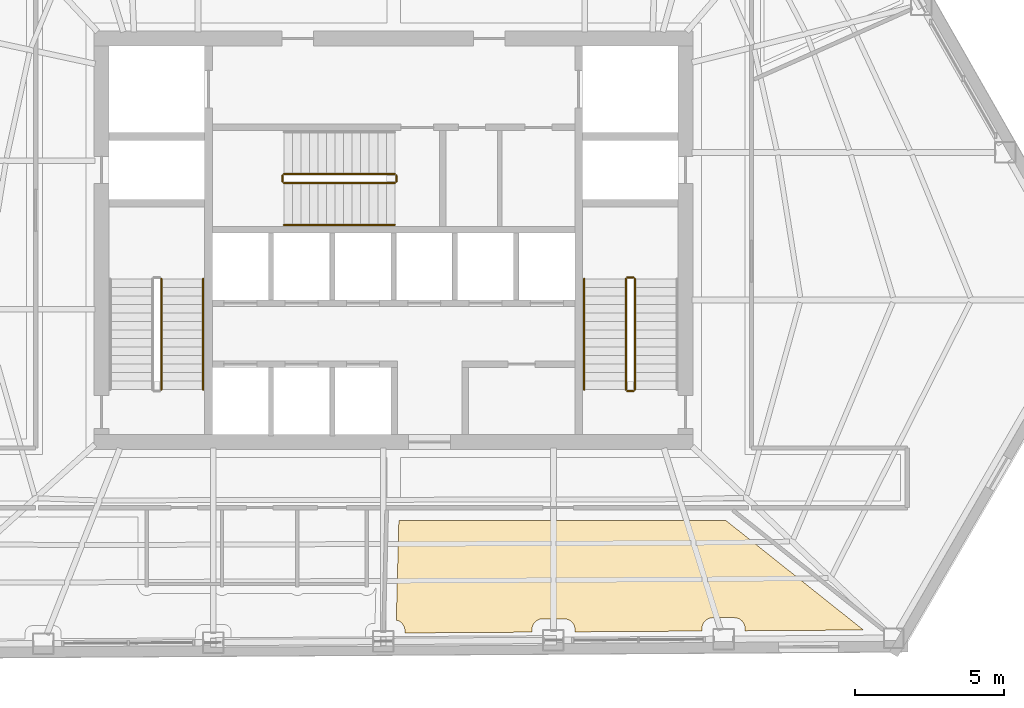
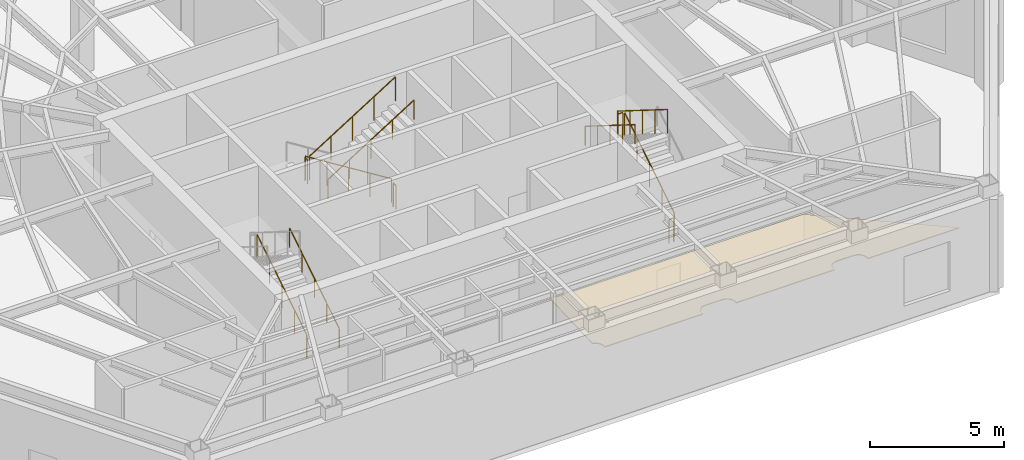
# One storey, part 13 of 14: 12 railings, 1 covering.
"""IFC4 building model written with IfcOpenShell, lengths in metres."""

from ifc_helpers import new_model, si_unit, direction, frame, origin, origin_2d, place, context, subcontext, project, spatial, polyline, circle, outline, extrude, material, layer, layer_set, type_object, element, save


model = new_model("IFC4")

# Units and contexts
model_context = context("Model", 3, precision=1e-05, world=origin(), true_north=direction((0.0, 1.0)))
body_context = subcontext(model_context, "Body", "Model", "MODEL_VIEW")
ifc_project = project(units=[si_unit("LENGTHUNIT", "METRE"), si_unit("AREAUNIT", "SQUARE_METRE"), si_unit("VOLUMEUNIT", "CUBIC_METRE"), si_unit("PLANEANGLEUNIT", "RADIAN"), si_unit("MASSUNIT", "GRAM", prefix="KILO")], contexts=[model_context])

# Site, building, storey
site_placement = place(None, origin())
site = spatial("IfcSite", under=ifc_project, at=site_placement, CompositionType="ELEMENT")
building_placement = place(site_placement, origin())
building = spatial("IfcBuilding", under=site, at=building_placement, Name="Kavelnor Concourse Tower", CompositionType="ELEMENT")
storey_placement = place(building_placement, frame((0.0, 0.0, 80.5)))
storey = spatial("IfcBuildingStorey", under=building, at=storey_placement, Name="L20", CompositionType="ELEMENT", Elevation=80.5)

# Covering
ifc_material_1 = material(Name="Mineral fibre acoustic ceiling tile")
ifc_layer = layer(ifc_material_1, 0.0400390625, Name="Mineral fibre acoustic ceiling tile")
ifc_layer_set = layer_set([ifc_layer], Name="Mineral fibre acoustic ceiling tile")
covering_type = type_object("IfcCoveringType", Name="COV-CEILING-ACOUSTIC", PredefinedType="CEILING", material=ifc_layer_set)
covering_placement = place(storey_placement, frame((0.0, 0.0, 2.75)))
element("IfcCovering", 1, at=covering_placement, inside=storey, type_object=covering_type, Name="L20 Suspended Acoustic Ceiling", PredefinedType="CEILING", context=body_context, shape_type="SweptSolid", body=[
    extrude(outline(polyline([(38.175537109375, 6.7275390625), (49.107421875, 6.7275390625), (53.7138671875, 3.060302734375), (49.7548828125, 3.034912109375), (49.7548828125, 3.11865234375), (49.753662109375, 3.145751953125), (49.748291015625, 3.1806640625), (49.73974609375, 3.215087890625), (49.727783203125, 3.248291015625), (49.712890625, 3.2802734375), (49.694580078125, 3.310546875), (49.673583984375, 3.339111328125), (49.649658203125, 3.365234375), (49.62353515625, 3.388916015625), (49.59521484375, 3.41015625), (49.564697265625, 3.42822265625), (49.53271484375, 3.443359375), (49.49951171875, 3.455322265625), (49.465087890625, 3.4638671875), (49.43017578125, 3.468994140625), (49.4033203125, 3.470458984375), (48.66650390625, 3.470458984375), (48.6396484375, 3.468994140625), (48.6044921875, 3.4638671875), (48.5703125, 3.455322265625), (48.537109375, 3.443359375), (48.5048828125, 3.42822265625), (48.474609375, 3.41015625), (48.4462890625, 3.388916015625), (48.420166015625, 3.365234375), (48.396240234375, 3.339111328125), (48.375244140625, 3.310546875), (48.35693359375, 3.2802734375), (48.341796875, 3.248291015625), (48.330078125, 3.215087890625), (48.3212890625, 3.1806640625), (48.316162109375, 3.145751953125), (48.31494140625, 3.11865234375), (48.31494140625, 3.02587890625), (44.06591796875, 2.99853515625), (44.06591796875, 3.082275390625), (44.064697265625, 3.109130859375), (44.059326171875, 3.144287109375), (44.05078125, 3.178466796875), (44.038818359375, 3.2119140625), (44.023681640625, 3.243896484375), (44.005615234375, 3.274169921875), (43.984619140625, 3.302490234375), (43.960693359375, 3.32861328125), (43.9345703125, 3.3525390625), (43.906005859375, 3.37353515625), (43.875732421875, 3.391845703125), (43.84375, 3.406982421875), (43.810546875, 3.418701171875), (43.776123046875, 3.427490234375), (43.7412109375, 3.4326171875), (43.714111328125, 3.433837890625), (42.9775390625, 3.433837890625), (42.95068359375, 3.4326171875), (42.91552734375, 3.427490234375), (42.88134765625, 3.418701171875), (42.847900390625, 3.406982421875), (42.81591796875, 3.391845703125), (42.78564453125, 3.37353515625), (42.75732421875, 3.3525390625), (42.731201171875, 3.32861328125), (42.707275390625, 3.302490234375), (42.686279296875, 3.274169921875), (42.66796875, 3.243896484375), (42.65283203125, 3.2119140625), (42.64111328125, 3.178466796875), (42.63232421875, 3.144287109375), (42.627197265625, 3.109130859375), (42.6259765625, 3.082275390625), (42.6259765625, 2.9892578125), (38.376953125, 2.9619140625), (38.376953125, 3.045654296875), (38.375732421875, 3.07275390625), (38.37060546875, 3.107666015625), (38.36181640625, 3.14208984375), (38.35009765625, 3.17529296875), (38.3349609375, 3.207275390625), (38.316650390625, 3.237548828125), (38.295654296875, 3.26611328125), (38.271728515625, 3.292236328125), (38.24560546875, 3.31591796875), (38.21728515625, 3.337158203125), (38.18701171875, 3.355224609375), (38.15478515625, 3.370361328125), (38.12158203125, 3.38232421875), (38.09033203125, 3.39013671875), (38.175537109375, 6.7275390625)])), origin(), (0.0, 0.0, 1.0), 0.0400390625),
])

# Railings
ifc_material_2 = material(Name="Steel Grade 350", Category="steel")
railing_type_1 = type_object("IfcRailingType", Name="RLG-GUARD-1100", PredefinedType="GUARDRAIL", material=ifc_material_2)
for number, where, name in (
    (2, (30.22998046875, 11.10009765625, 0.178466796875), "L20 ST1 stair guard 1"),
    (3, (46.070068359375, 11.10009765625, 0.178466796875), "L20 ST2 stair guard 1"),
):
    element("IfcRailing", number, at=place(storey_placement, frame(where)), inside=storey, type_object=railing_type_1, Name=name, PredefinedType="GUARDRAIL", context=body_context, shape_type="SweptSolid", body=[
        extrude(circle(Radius=0.02392578125, at=origin_2d()), frame((0.0, 0.0, 1.076171875), z_axis=(0.0, 0.847379717373, 0.530987395881), x_axis=(-1.0, 0.0, 0.0)), (0.0, 0.0, 1.0), 4.3720703125),
        extrude(circle(Radius=0.02099609375, at=origin_2d()), origin(), (0.0, 0.0, 1.0), 1.052001953125),
        extrude(circle(Radius=0.02099609375, at=origin_2d()), frame((0.0, 0.92626953125, 0.580322265625)), (0.0, 0.0, 1.0), 1.052001953125),
        extrude(circle(Radius=0.02099609375, at=origin_2d()), frame((0.0, 1.8525390625, 1.16064453125)), (0.0, 0.0, 1.0), 1.052001953125),
        extrude(circle(Radius=0.02099609375, at=origin_2d()), frame((0.0, 2.778564453125, 1.7412109375)), (0.0, 0.0, 1.0), 1.052001953125),
        extrude(circle(Radius=0.02099609375, at=origin_2d()), frame((0.0, 3.704833984375, 2.321533203125)), (0.0, 0.0, 1.0), 1.052001953125),
    ])
railing_1_placement = place(storey_placement, frame((46.02001953125, 14.85498046875, 2.5)))
element("IfcRailing", 4, at=railing_1_placement, inside=storey, type_object=railing_type_1, Name="L20 ST2 stair guard 2", PredefinedType="GUARDRAIL", context=body_context, shape_type="SweptSolid", body=[
    extrude(circle(Radius=0.02392578125, at=origin_2d()), frame((0.0, 0.0, 1.076171875), z_axis=(-1.0, 0.0, 0.0), x_axis=(0.0, -1.0, 0.0)), (0.0, 0.0, 1.0), 0.199951171875),
    extrude(circle(Radius=0.02099609375, at=origin_2d()), origin(), (0.0, 0.0, 1.0), 1.052001953125),
    extrude(circle(Radius=0.02099609375, at=origin_2d()), frame((-0.199951171875, 0.0, 0.0)), (0.0, 0.0, 1.0), 1.052001953125),
])
railing_2_placement = place(storey_placement, frame((45.77001953125, 14.804931640625, 2.678466796875)))
element("IfcRailing", 5, at=railing_2_placement, inside=storey, type_object=railing_type_1, Name="L20 ST2 stair guard 3", PredefinedType="GUARDRAIL", context=body_context, shape_type="SweptSolid", body=[
    extrude(circle(Radius=0.02392578125, at=origin_2d()), frame((0.0, 0.0, 1.076171875), z_axis=(0.0, -0.847379717373, 0.530987395881), x_axis=(1.0, 0.0, 0.0)), (0.0, 0.0, 1.0), 4.3720703125),
    extrude(circle(Radius=0.02099609375, at=origin_2d()), origin(), (0.0, 0.0, 1.0), 1.052001953125),
    extrude(circle(Radius=0.02099609375, at=origin_2d()), frame((0.0, -0.92626953125, 0.580322265625)), (0.0, 0.0, 1.0), 1.052001953125),
    extrude(circle(Radius=0.02099609375, at=origin_2d()), frame((0.0, -1.8525390625, 1.16064453125)), (0.0, 0.0, 1.0), 1.052001953125),
    extrude(circle(Radius=0.02099609375, at=origin_2d()), frame((0.0, -2.778564453125, 1.7412109375)), (0.0, 0.0, 1.0), 1.052001953125),
    extrude(circle(Radius=0.02099609375, at=origin_2d()), frame((0.0, -3.704833984375, 2.321533203125)), (0.0, 0.0, 1.0), 1.052001953125),
])
railing_3_placement = place(storey_placement, frame((46.02001953125, 11.050048828125, 0.0)))
element("IfcRailing", 6, at=railing_3_placement, inside=storey, type_object=railing_type_1, Name="L20 ST2 stair guard 4", PredefinedType="GUARDRAIL", context=body_context, shape_type="SweptSolid", body=[
    extrude(circle(Radius=0.02392578125, at=origin_2d()), frame((0.0, 0.0, 1.076171875), z_axis=(-1.0, 0.0, 0.0), x_axis=(0.0, -1.0, 0.0)), (0.0, 0.0, 1.0), 0.199951171875),
    extrude(circle(Radius=0.02099609375, at=origin_2d()), origin(), (0.0, 0.0, 1.0), 1.052001953125),
    extrude(circle(Radius=0.02099609375, at=origin_2d()), frame((-0.199951171875, 0.0, 0.0)), (0.0, 0.0, 1.0), 1.052001953125),
])
railing_4_placement = place(storey_placement, frame((38.0400390625, 18.31005859375, 0.178466796875)))
element("IfcRailing", 7, at=railing_4_placement, inside=storey, type_object=railing_type_1, Name="L20 ST3 stair guard 1", PredefinedType="GUARDRAIL", context=body_context, shape_type="SweptSolid", body=[
    extrude(circle(Radius=0.02392578125, at=origin_2d()), frame((0.0, 0.0, 1.076171875), z_axis=(-0.847395460354, 0.0, 0.530962271514), x_axis=(0.0, -1.0, 0.0)), (0.0, 0.0, 1.0), 4.372314453125),
    extrude(circle(Radius=0.02099609375, at=origin_2d()), origin(), (0.0, 0.0, 1.0), 1.052001953125),
    extrude(circle(Radius=0.02099609375, at=origin_2d()), frame((-0.92626953125, 0.0, 0.580322265625)), (0.0, 0.0, 1.0), 1.052001953125),
    extrude(circle(Radius=0.02099609375, at=origin_2d()), frame((-1.8525390625, 0.0, 1.16064453125)), (0.0, 0.0, 1.0), 1.052001953125),
    extrude(circle(Radius=0.02099609375, at=origin_2d()), frame((-2.77880859375, 0.0, 1.7412109375)), (0.0, 0.0, 1.0), 1.052001953125),
    extrude(circle(Radius=0.02099609375, at=origin_2d()), frame((-3.705078125, 0.0, 2.321533203125)), (0.0, 0.0, 1.0), 1.052001953125),
])
railing_5_placement = place(storey_placement, frame((34.284912109375, 18.260009765625, 2.5)))
element("IfcRailing", 8, at=railing_5_placement, inside=storey, type_object=railing_type_1, Name="L20 ST3 stair guard 2", PredefinedType="GUARDRAIL", context=body_context, shape_type="SweptSolid", body=[
    extrude(circle(Radius=0.02392578125, at=origin_2d()), frame((0.0, 0.0, 1.076171875), z_axis=(0.0, -1.0, 0.0), x_axis=(1.0, 0.0, 0.0)), (0.0, 0.0, 1.0), 0.199951171875),
    extrude(circle(Radius=0.02099609375, at=origin_2d()), origin(), (0.0, 0.0, 1.0), 1.052001953125),
    extrude(circle(Radius=0.02099609375, at=origin_2d()), frame((0.0, -0.199951171875, 0.0)), (0.0, 0.0, 1.0), 1.052001953125),
])
railing_6_placement = place(storey_placement, frame((34.3349609375, 18.010009765625, 2.678466796875)))
element("IfcRailing", 9, at=railing_6_placement, inside=storey, type_object=railing_type_1, Name="L20 ST3 stair guard 3", PredefinedType="GUARDRAIL", context=body_context, shape_type="SweptSolid", body=[
    extrude(circle(Radius=0.02392578125, at=origin_2d()), frame((0.0, 0.0, 1.076171875), z_axis=(0.847395460354, 0.0, 0.530962271514), x_axis=(0.0, 1.0, 0.0)), (0.0, 0.0, 1.0), 4.372314453125),
    extrude(circle(Radius=0.02099609375, at=origin_2d()), origin(), (0.0, 0.0, 1.0), 1.052001953125),
    extrude(circle(Radius=0.02099609375, at=origin_2d()), frame((0.92626953125, 0.0, 0.580322265625)), (0.0, 0.0, 1.0), 1.052001953125),
    extrude(circle(Radius=0.02099609375, at=origin_2d()), frame((1.8525390625, 0.0, 1.16064453125)), (0.0, 0.0, 1.0), 1.052001953125),
    extrude(circle(Radius=0.02099609375, at=origin_2d()), frame((2.77880859375, 0.0, 1.7412109375)), (0.0, 0.0, 1.0), 1.052001953125),
    extrude(circle(Radius=0.02099609375, at=origin_2d()), frame((3.705078125, 0.0, 2.321533203125)), (0.0, 0.0, 1.0), 1.052001953125),
])
railing_7_placement = place(storey_placement, frame((38.090087890625, 18.260009765625, 0.0)))
element("IfcRailing", 10, at=railing_7_placement, inside=storey, type_object=railing_type_1, Name="L20 ST3 stair guard 4", PredefinedType="GUARDRAIL", context=body_context, shape_type="SweptSolid", body=[
    extrude(circle(Radius=0.02392578125, at=origin_2d()), frame((0.0, 0.0, 1.076171875), z_axis=(0.0, -1.0, 0.0), x_axis=(1.0, 0.0, 0.0)), (0.0, 0.0, 1.0), 0.199951171875),
    extrude(circle(Radius=0.02099609375, at=origin_2d()), origin(), (0.0, 0.0, 1.0), 1.052001953125),
    extrude(circle(Radius=0.02099609375, at=origin_2d()), frame((0.0, -0.199951171875, 0.0)), (0.0, 0.0, 1.0), 1.052001953125),
])
railing_type_2 = type_object("IfcRailingType", Name="RLG-HANDRAIL-900", PredefinedType="HANDRAIL", material=ifc_material_2)
railing_8_placement = place(storey_placement, frame((31.6298828125, 11.10009765625, 0.178466796875)))
element("IfcRailing", 11, at=railing_8_placement, inside=storey, type_object=railing_type_2, Name="L20 ST1 stair handrail 1", PredefinedType="HANDRAIL", context=body_context, shape_type="SweptSolid", body=[
    extrude(circle(Radius=0.02392578125, at=origin_2d()), frame((0.0, 0.0, 0.8759765625), z_axis=(0.0, 0.847379717373, 0.530987395881), x_axis=(-1.0, 0.0, 0.0)), (0.0, 0.0, 1.0), 4.3720703125),
    extrude(circle(Radius=0.02099609375, at=origin_2d()), origin(), (0.0, 0.0, 1.0), 0.851806640625),
    extrude(circle(Radius=0.02099609375, at=origin_2d()), frame((0.0, 0.92626953125, 0.580322265625)), (0.0, 0.0, 1.0), 0.851806640625),
    extrude(circle(Radius=0.02099609375, at=origin_2d()), frame((0.0, 1.8525390625, 1.16064453125)), (0.0, 0.0, 1.0), 0.851806640625),
    extrude(circle(Radius=0.02099609375, at=origin_2d()), frame((0.0, 2.778564453125, 1.7412109375)), (0.0, 0.0, 1.0), 0.851806640625),
    extrude(circle(Radius=0.02099609375, at=origin_2d()), frame((0.0, 3.704833984375, 2.321533203125)), (0.0, 0.0, 1.0), 0.851806640625),
])
railing_9_placement = place(storey_placement, frame((44.3701171875, 14.804931640625, 2.678466796875)))
element("IfcRailing", 12, at=railing_9_placement, inside=storey, type_object=railing_type_2, Name="L20 ST2 stair handrail 2", PredefinedType="HANDRAIL", context=body_context, shape_type="SweptSolid", body=[
    extrude(circle(Radius=0.02392578125, at=origin_2d()), frame((0.0, 0.0, 0.8759765625), z_axis=(0.0, -0.847379717373, 0.530987395881), x_axis=(1.0, 0.0, 0.0)), (0.0, 0.0, 1.0), 4.3720703125),
    extrude(circle(Radius=0.02099609375, at=origin_2d()), origin(), (0.0, 0.0, 1.0), 0.851806640625),
    extrude(circle(Radius=0.02099609375, at=origin_2d()), frame((0.0, -0.92626953125, 0.580322265625)), (0.0, 0.0, 1.0), 0.851806640625),
    extrude(circle(Radius=0.02099609375, at=origin_2d()), frame((0.0, -1.8525390625, 1.16064453125)), (0.0, 0.0, 1.0), 0.851806640625),
    extrude(circle(Radius=0.02099609375, at=origin_2d()), frame((0.0, -2.778564453125, 1.7412109375)), (0.0, 0.0, 1.0), 0.851806640625),
    extrude(circle(Radius=0.02099609375, at=origin_2d()), frame((0.0, -3.704833984375, 2.321533203125)), (0.0, 0.0, 1.0), 0.851806640625),
])
railing_10_placement = place(storey_placement, frame((34.3349609375, 16.610107421875, 2.678466796875)))
element("IfcRailing", 13, at=railing_10_placement, inside=storey, type_object=railing_type_2, Name="L20 ST3 stair handrail 2", PredefinedType="HANDRAIL", context=body_context, shape_type="SweptSolid", body=[
    extrude(circle(Radius=0.02392578125, at=origin_2d()), frame((0.0, 0.0, 0.8759765625), z_axis=(0.847395460354, 0.0, 0.530962271514), x_axis=(0.0, 1.0, 0.0)), (0.0, 0.0, 1.0), 4.372314453125),
    extrude(circle(Radius=0.02099609375, at=origin_2d()), origin(), (0.0, 0.0, 1.0), 0.851806640625),
    extrude(circle(Radius=0.02099609375, at=origin_2d()), frame((0.92626953125, 0.0, 0.580322265625)), (0.0, 0.0, 1.0), 0.851806640625),
    extrude(circle(Radius=0.02099609375, at=origin_2d()), frame((1.8525390625, 0.0, 1.16064453125)), (0.0, 0.0, 1.0), 0.851806640625),
    extrude(circle(Radius=0.02099609375, at=origin_2d()), frame((2.77880859375, 0.0, 1.7412109375)), (0.0, 0.0, 1.0), 0.851806640625),
    extrude(circle(Radius=0.02099609375, at=origin_2d()), frame((3.705078125, 0.0, 2.321533203125)), (0.0, 0.0, 1.0), 0.851806640625),
])

save(model, "model.ifc")
